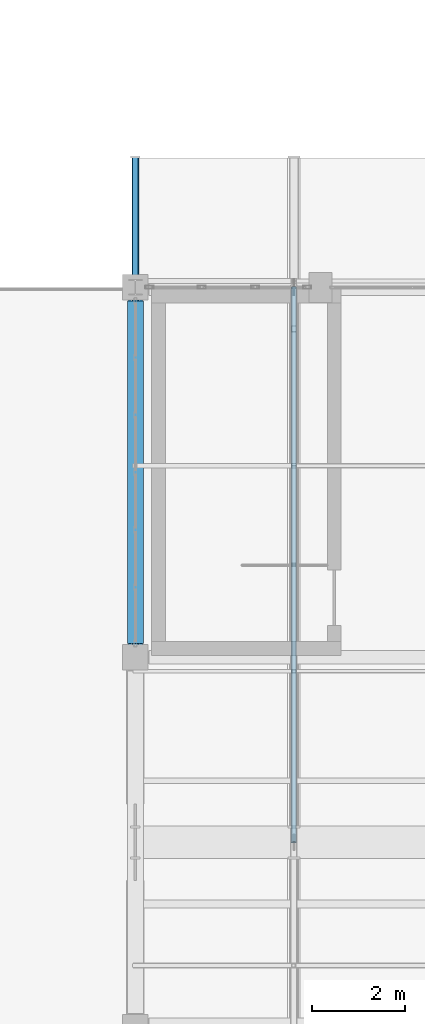
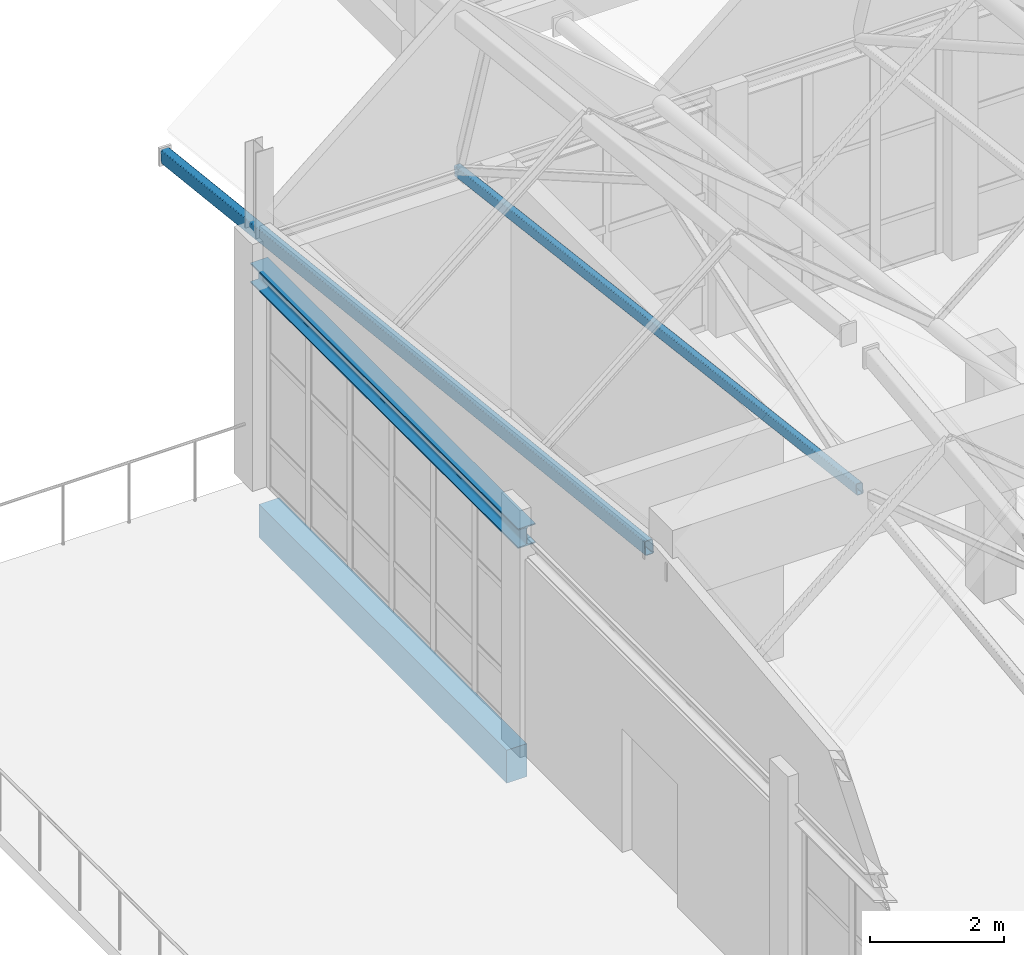
# One storey, part 57 of 183: 3 beams, 1 member.
"""IFC4 building model written with IfcOpenShell, lengths in metres."""

from ifc_helpers import new_model, si_unit, direction, frame, origin, origin_2d, place, context, subcontext, project, spatial, rectangle, hollow_rectangle, i_section, extrude, material, material_profile, profile_set, type_object, element, save


model = new_model("IFC4")

# Units and contexts
model_context = context("Model", 3, precision=1e-05, world=origin(), true_north=direction((0.0, 1.0)))
body_context = subcontext(model_context, "Body", "Model", "MODEL_VIEW")
ifc_project = project(units=[si_unit("LENGTHUNIT", "METRE"), si_unit("AREAUNIT", "SQUARE_METRE"), si_unit("VOLUMEUNIT", "CUBIC_METRE"), si_unit("PLANEANGLEUNIT", "RADIAN"), si_unit("MASSUNIT", "GRAM", prefix="KILO")], contexts=[model_context])

# Site, building, storey
site_placement = place(None, origin())
site = spatial("IfcSite", under=ifc_project, at=site_placement, CompositionType="ELEMENT")
building_placement = place(site_placement, origin())
building = spatial("IfcBuilding", under=site, at=building_placement, Name="Luwemba Playhouse", CompositionType="ELEMENT")
storey_placement = place(building_placement, frame((0.0, 0.0, 4.800048828125)))
storey = spatial("IfcBuildingStorey", under=building, at=storey_placement, Name="L01", CompositionType="ELEMENT", Elevation=4.800048828125)

# Beams
ifc_material_1 = material(Name="Steel S355", Category="steel")
ifc_material_profile_1 = material_profile(ifc_material_1, hollow_rectangle(XDim=0.14990234375, YDim=0.25, WallThickness=0.010009765625, InnerFilletRadius=0.014892578125, OuterFilletRadius=0.02490234375, at=origin_2d()))
ifc_profile_set_1 = profile_set([ifc_material_profile_1], Name="Steel S355")
beam_type_1 = type_object("IfcBeamType", Name="BM-RTG1", PredefinedType="USERDEFINED", material=ifc_profile_set_1)
beam_1_placement = place(storey_placement, frame((124.0, 15.35009765625, 5.78466796875), z_axis=(0.0, 0.993786292845, -0.111305005073), x_axis=(-1.0, 0.0, 0.0)))
element("IfcBeam", 1, at=beam_1_placement, inside=storey, type_object=beam_type_1, Name="ROOF TRUSS valley girder 0313", ObjectType="ROOF TRUSS", PredefinedType="USERDEFINED", context=body_context, shape_type="SweptSolid", body=[
    extrude(hollow_rectangle(XDim=0.14990234375, YDim=0.25, WallThickness=0.010009765625, InnerFilletRadius=0.014892578125, OuterFilletRadius=0.02490234375, at=origin_2d()), origin(), (0.0, 0.0, 1.0), 14.540283203125),
])
ifc_material_profile_2 = material_profile(ifc_material_1, i_section(OverallWidth=0.300048828125, OverallDepth=0.360107421875, WebThickness=0.012451171875, FlangeThickness=0.0224609375, FilletRadius=0.027099609375, at=origin_2d()))
ifc_profile_set_2 = profile_set([ifc_material_profile_2], Name="Steel S355")
beam_type_2 = type_object("IfcBeamType", Name="BM-SB09", PredefinedType="BEAM", material=ifc_profile_set_2)
beam_2_placement = place(storey_placement, frame((124.0, 19.0, 3.780029296875), z_axis=(0.0, 1.0, 0.0), x_axis=(-1.0, 0.0, 0.0)))
element("IfcBeam", 2, at=beam_2_placement, inside=storey, type_object=beam_type_2, Name="RF-V5E gable ring beam 0305", PredefinedType="BEAM", context=body_context, shape_type="SweptSolid", body=[
    extrude(i_section(OverallWidth=0.300048828125, OverallDepth=0.360107421875, WebThickness=0.012451171875, FlangeThickness=0.0224609375, FilletRadius=0.027099609375, at=origin_2d()), origin(), (0.0, 0.0, 1.0), 8.0),
])
ifc_material_2 = material(Name="Concrete C40/50", Category="concrete")
ifc_material_profile_3 = material_profile(ifc_material_2, rectangle(XDim=0.35009765625, YDim=0.60009765625, at=origin_2d()))
ifc_profile_set_3 = profile_set([ifc_material_profile_3], Name="Concrete C40/50")
beam_type_3 = type_object("IfcBeamType", Name="BM-SP3", PredefinedType="SPANDREL", material=ifc_profile_set_3)
beam_3_placement = place(storey_placement, frame((124.0, 19.300048828125, -0.550048828125), z_axis=(0.0, 1.0, 0.0), x_axis=(-1.0, 0.0, 0.0)))
element("IfcBeam", 3, at=beam_3_placement, inside=storey, type_object=beam_type_3, Name="L01 transverse girder 0545", PredefinedType="SPANDREL", context=body_context, shape_type="SweptSolid", body=[
    extrude(rectangle(XDim=0.35009765625, YDim=0.60009765625, at=origin_2d()), origin(), (0.0, 0.0, 1.0), 7.39990234375),
])

# Member
ifc_material_profile_4 = material_profile(ifc_material_1, hollow_rectangle(XDim=0.1201171875, YDim=0.199951171875, WallThickness=0.010009765625, InnerFilletRadius=0.014892578125, OuterFilletRadius=0.02490234375, at=origin_2d()))
ifc_profile_set_4 = profile_set([ifc_material_profile_4], Name="Steel S355")
member_type = type_object("IfcMemberType", Name="MEM-MC05", PredefinedType="CHORD", material=ifc_profile_set_4)
member_placement = place(storey_placement, frame((127.4287109375, 15.0, 5.864013671875), z_axis=(0.0, 0.992638950812, -0.121111161052), x_axis=(-1.0, 0.0, 0.0)))
element("IfcMember", 4, at=member_placement, inside=storey, type_object=member_type, Name="ROOF TRUSS north bottom chord 0266", PredefinedType="CHORD", context=body_context, shape_type="SweptSolid", body=[
    extrude(hollow_rectangle(XDim=0.1201171875, YDim=0.199951171875, WallThickness=0.010009765625, InnerFilletRadius=0.014892578125, OuterFilletRadius=0.02490234375, at=origin_2d()), origin(), (0.0, 0.0, 1.0), 12.0888671875),
])

save(model, "model.ifc")
